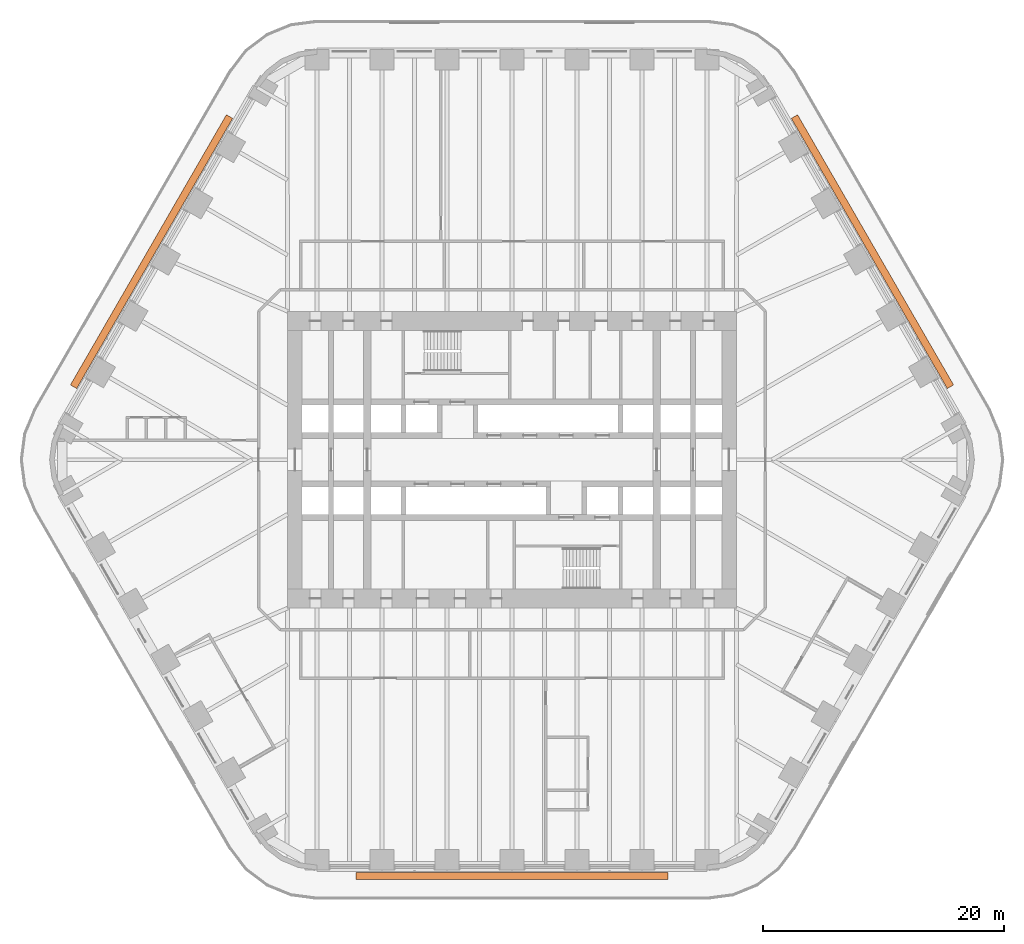
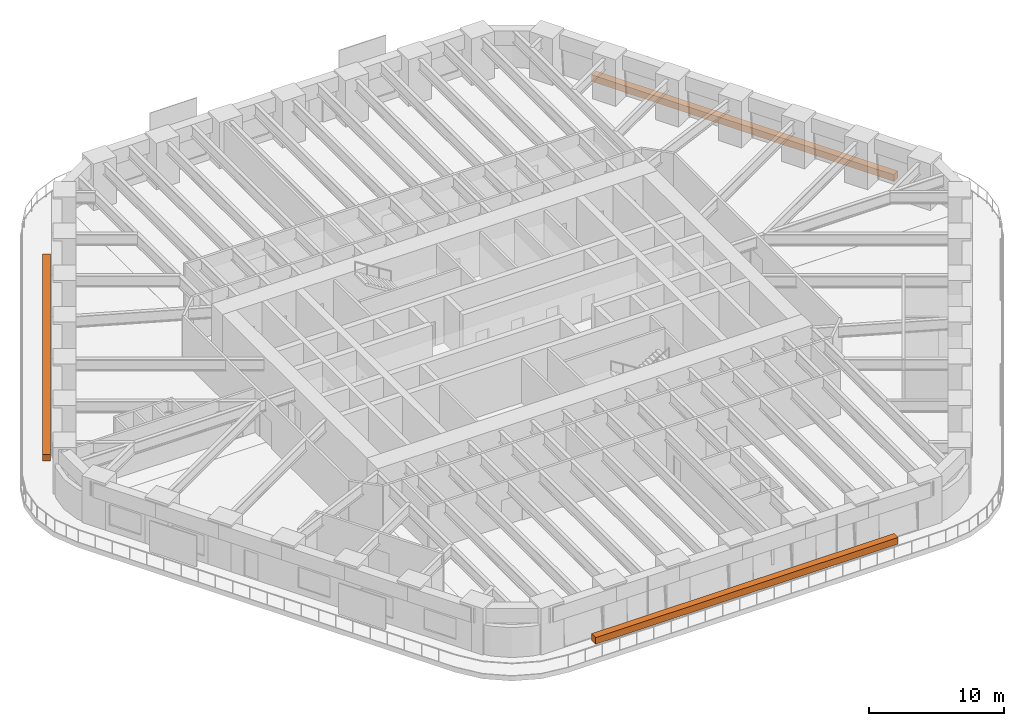
# One storey, part 23 of 23: 3 proxies.
"""IFC4 building model written with IfcOpenShell, lengths in metres."""

from ifc_helpers import new_model, si_unit, direction, frame, origin, origin_2d, place, context, subcontext, project, spatial, rectangle, extrude, material, element, save


model = new_model("IFC4")

# Units and contexts
model_context = context("Model", 3, precision=1e-05, world=origin(), true_north=direction((0.0, 1.0)))
body_context = subcontext(model_context, "Body", "Model", "MODEL_VIEW")
ifc_project = project(units=[si_unit("LENGTHUNIT", "METRE"), si_unit("AREAUNIT", "SQUARE_METRE"), si_unit("VOLUMEUNIT", "CUBIC_METRE"), si_unit("PLANEANGLEUNIT", "RADIAN"), si_unit("MASSUNIT", "GRAM", prefix="KILO")], contexts=[model_context])

# Site, building, storey
site_placement = place(None, origin())
site = spatial("IfcSite", under=ifc_project, at=site_placement, CompositionType="ELEMENT")
building_placement = place(site_placement, origin())
building = spatial("IfcBuilding", under=site, at=building_placement, Name="Tarfa Lantern Tower", CompositionType="ELEMENT")
storey_placement = place(building_placement, frame((0.0, 0.0, 82.300048828125)))
storey = spatial("IfcBuildingStorey", under=building, at=storey_placement, Name="L18", CompositionType="ELEMENT", Elevation=82.300048828125)

# Proxies
ifc_material = material(Name="Planting bed")
for number, where, z_axis, x_axis, name in (
    (1, (29.8779296875, 17.25, 0.0), (0.0, 0.0, 1.0), (-0.5, 0.866025403784, 0.0), "Balcony planter"),
    (2, (-29.8779296875, 17.25, 0.0), (0.0, 0.0, 1.0), (-0.5, -0.866025403784, 0.0), "Balcony planter"),
    (3, (0.0, -34.5, 0.0), (0.0, 0.0, 1.0), (1.0, 0.0, 0.0), "Balcony planter"),
):
    element("IfcBuildingElementProxy", number, at=place(storey_placement, frame(where, z_axis=z_axis, x_axis=x_axis)), inside=storey, material=ifc_material, Name=name, ObjectType="PLANTER", PredefinedType="USERDEFINED", context=body_context, shape_type="SweptSolid", body=[
        extrude(rectangle(XDim=25.865234375, YDim=0.60009765625, at=origin_2d()), origin(), (0.0, 0.0, 1.0), 0.60009765625),
    ])

save(model, "model.ifc")
